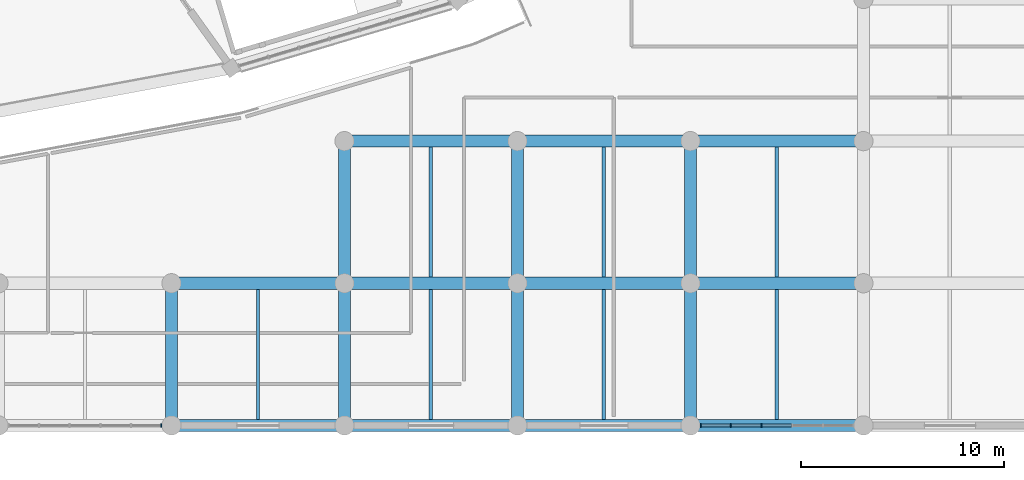
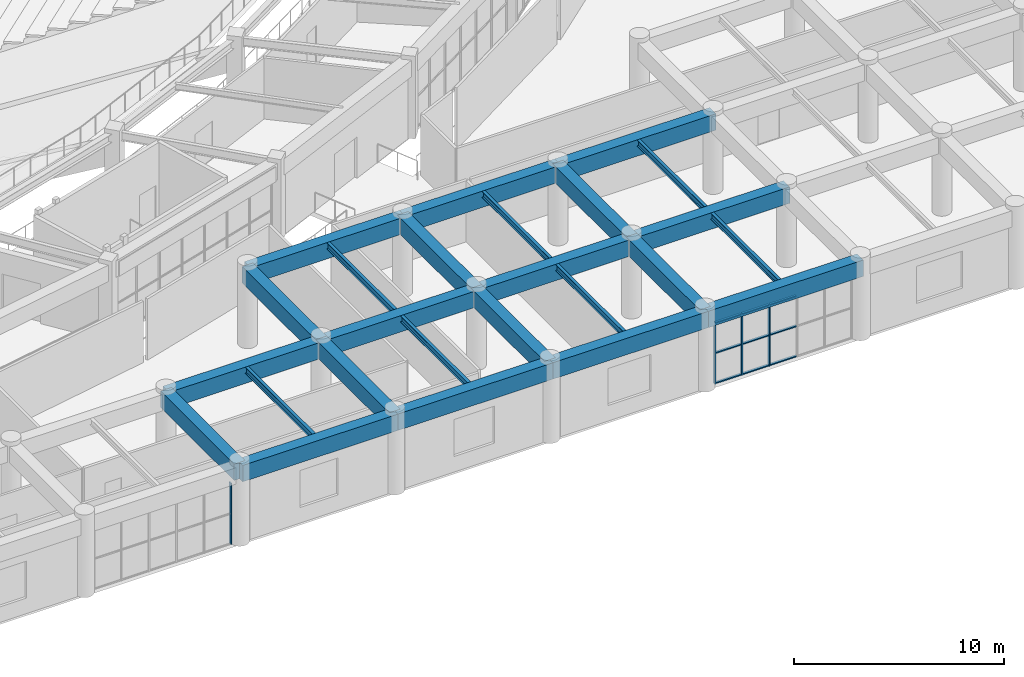
# One storey, part 34 of 137: 25 beams, 13 members, 2 elements without a shape of their own.
"""IFC4 building model written with IfcOpenShell, lengths in metres."""

from ifc_helpers import new_model, si_unit, direction, frame, origin, origin_2d, place, context, subcontext, project, spatial, rectangle, i_section, extrude, material, layer, layer_set, material_profile, profile_set, type_object, element, aggregate, save


model = new_model("IFC4")

# Units and contexts
model_context = context("Model", 3, precision=1e-05, world=origin(), true_north=direction((0.0, 1.0)))
body_context = subcontext(model_context, "Body", "Model", "MODEL_VIEW")
ifc_project = project(units=[si_unit("LENGTHUNIT", "METRE"), si_unit("AREAUNIT", "SQUARE_METRE"), si_unit("VOLUMEUNIT", "CUBIC_METRE"), si_unit("PLANEANGLEUNIT", "RADIAN"), si_unit("MASSUNIT", "GRAM", prefix="KILO")], contexts=[model_context])

# Site, building, storey
site_placement = place(None, origin())
site = spatial("IfcSite", under=ifc_project, at=site_placement, CompositionType="ELEMENT")
building_placement = place(site_placement, origin())
building = spatial("IfcBuilding", under=site, at=building_placement, Name="Mphavela Belvedere Stadium", CompositionType="ELEMENT")
storey_placement = place(building_placement, frame((0.0, 0.0, 19.199951171875)))
storey = spatial("IfcBuildingStorey", under=building, at=storey_placement, Name="L04", CompositionType="ELEMENT", Elevation=19.199951171875)

# Beams
ifc_material_1 = material(Name="Concrete C40/50", Category="concrete")
ifc_material_profile_1 = material_profile(ifc_material_1, rectangle(XDim=0.60009765625, YDim=0.949951171875, at=origin_2d()), Name="RC 600x950")
ifc_profile_set_1 = profile_set([ifc_material_profile_1], Name="Concrete C40/50")
beam_type_1 = type_object("IfcBeamType", Name="BM-ENTABLATURE-950", PredefinedType="SPANDREL", material=ifc_profile_set_1)
beam_1_placement = place(storey_placement, frame((161.85205078125, 0.0, 4.06494140625), z_axis=(1.0, 0.0, 0.0), x_axis=(0.0, 1.0, 0.0)))
element("IfcBeam", 1, at=beam_1_placement, inside=storey, type_object=beam_type_1, Name="South Axial Triumphal Peristyle Portico entablature beam X L04 20-1", PredefinedType="SPANDREL", context=body_context, shape_type="SweptSolid", body=[
    extrude(rectangle(XDim=0.60009765625, YDim=0.949951171875, at=origin_2d()), origin(), (0.0, 0.0, 1.0), 8.51806640625),
])
beam_2_placement = place(storey_placement, frame((161.85205078125, 0.0, 4.06494140625), z_axis=(0.0, 1.0, 0.0), x_axis=(-1.0, 0.0, 0.0)))
element("IfcBeam", 2, at=beam_2_placement, inside=storey, type_object=beam_type_1, Name="South Axial Triumphal Peristyle Portico entablature beam Y L04 20-1", PredefinedType="SPANDREL", context=body_context, shape_type="SweptSolid", body=[
    extrude(rectangle(XDim=0.60009765625, YDim=0.949951171875, at=origin_2d()), origin(), (0.0, 0.0, 1.0), 7.0),
])
beam_3_placement = place(storey_placement, frame((161.85205078125, 7.0, 4.06494140625), z_axis=(1.0, 0.0, 0.0), x_axis=(0.0, 1.0, 0.0)))
element("IfcBeam", 3, at=beam_3_placement, inside=storey, type_object=beam_type_1, Name="South Axial Triumphal Peristyle Portico entablature beam X L04 20-2", PredefinedType="SPANDREL", context=body_context, shape_type="SweptSolid", body=[
    extrude(rectangle(XDim=0.60009765625, YDim=0.949951171875, at=origin_2d()), origin(), (0.0, 0.0, 1.0), 8.51806640625),
])
beam_4_placement = place(storey_placement, frame((170.3701171875, 0.0, 4.06494140625), z_axis=(1.0, 0.0, 0.0), x_axis=(0.0, 1.0, 0.0)))
element("IfcBeam", 4, at=beam_4_placement, inside=storey, type_object=beam_type_1, Name="South Axial Triumphal Peristyle Portico entablature beam X L04 21-1", PredefinedType="SPANDREL", context=body_context, shape_type="SweptSolid", body=[
    extrude(rectangle(XDim=0.60009765625, YDim=0.949951171875, at=origin_2d()), origin(), (0.0, 0.0, 1.0), 8.518798828125),
])
beam_5_placement = place(storey_placement, frame((170.3701171875, 0.0, 4.06494140625), z_axis=(0.0, 1.0, 0.0), x_axis=(-1.0, 0.0, 0.0)))
element("IfcBeam", 5, at=beam_5_placement, inside=storey, type_object=beam_type_1, Name="South Axial Triumphal Peristyle Portico entablature beam Y L04 21-1", PredefinedType="SPANDREL", context=body_context, shape_type="SweptSolid", body=[
    extrude(rectangle(XDim=0.60009765625, YDim=0.949951171875, at=origin_2d()), origin(), (0.0, 0.0, 1.0), 7.0),
])
beam_6_placement = place(storey_placement, frame((170.3701171875, 7.0, 4.06494140625), z_axis=(1.0, 0.0, 0.0), x_axis=(0.0, 1.0, 0.0)))
element("IfcBeam", 6, at=beam_6_placement, inside=storey, type_object=beam_type_1, Name="South Axial Triumphal Peristyle Portico entablature beam X L04 21-2", PredefinedType="SPANDREL", context=body_context, shape_type="SweptSolid", body=[
    extrude(rectangle(XDim=0.60009765625, YDim=0.949951171875, at=origin_2d()), origin(), (0.0, 0.0, 1.0), 8.518798828125),
])
beam_7_placement = place(storey_placement, frame((170.3701171875, 7.0, 4.06494140625), z_axis=(0.0, 1.0, 0.0), x_axis=(-1.0, 0.0, 0.0)))
element("IfcBeam", 7, at=beam_7_placement, inside=storey, type_object=beam_type_1, Name="South Axial Triumphal Peristyle Portico entablature beam Y L04 21-2", PredefinedType="SPANDREL", context=body_context, shape_type="SweptSolid", body=[
    extrude(rectangle(XDim=0.60009765625, YDim=0.949951171875, at=origin_2d()), origin(), (0.0, 0.0, 1.0), 7.0),
])
beam_8_placement = place(storey_placement, frame((170.3701171875, 14.0, 4.06494140625), z_axis=(1.0, 0.0, 0.0), x_axis=(0.0, 1.0, 0.0)))
element("IfcBeam", 8, at=beam_8_placement, inside=storey, type_object=beam_type_1, Name="South Axial Triumphal Peristyle Portico entablature beam X L04 21-3", PredefinedType="SPANDREL", context=body_context, shape_type="SweptSolid", body=[
    extrude(rectangle(XDim=0.60009765625, YDim=0.949951171875, at=origin_2d()), origin(), (0.0, 0.0, 1.0), 8.518798828125),
])
beam_9_placement = place(storey_placement, frame((178.888916015625, 0.0, 4.06494140625), z_axis=(1.0, 0.0, 0.0), x_axis=(0.0, 1.0, 0.0)))
element("IfcBeam", 9, at=beam_9_placement, inside=storey, type_object=beam_type_1, Name="South Axial Triumphal Peristyle Portico entablature beam X L04 22-1", PredefinedType="SPANDREL", context=body_context, shape_type="SweptSolid", body=[
    extrude(rectangle(XDim=0.60009765625, YDim=0.949951171875, at=origin_2d()), origin(), (0.0, 0.0, 1.0), 8.51806640625),
])
beam_10_placement = place(storey_placement, frame((178.888916015625, 0.0, 4.06494140625), z_axis=(0.0, 1.0, 0.0), x_axis=(-1.0, 0.0, 0.0)))
element("IfcBeam", 10, at=beam_10_placement, inside=storey, type_object=beam_type_1, Name="South Axial Triumphal Peristyle Portico entablature beam Y L04 22-1", PredefinedType="SPANDREL", context=body_context, shape_type="SweptSolid", body=[
    extrude(rectangle(XDim=0.60009765625, YDim=0.949951171875, at=origin_2d()), origin(), (0.0, 0.0, 1.0), 7.0),
])
beam_11_placement = place(storey_placement, frame((178.888916015625, 7.0, 4.06494140625), z_axis=(1.0, 0.0, 0.0), x_axis=(0.0, 1.0, 0.0)))
element("IfcBeam", 11, at=beam_11_placement, inside=storey, type_object=beam_type_1, Name="South Axial Triumphal Peristyle Portico entablature beam X L04 22-2", PredefinedType="SPANDREL", context=body_context, shape_type="SweptSolid", body=[
    extrude(rectangle(XDim=0.60009765625, YDim=0.949951171875, at=origin_2d()), origin(), (0.0, 0.0, 1.0), 8.51806640625),
])
beam_12_placement = place(storey_placement, frame((178.888916015625, 7.0, 4.06494140625), z_axis=(0.0, 1.0, 0.0), x_axis=(-1.0, 0.0, 0.0)))
element("IfcBeam", 12, at=beam_12_placement, inside=storey, type_object=beam_type_1, Name="South Axial Triumphal Peristyle Portico entablature beam Y L04 22-2", PredefinedType="SPANDREL", context=body_context, shape_type="SweptSolid", body=[
    extrude(rectangle(XDim=0.60009765625, YDim=0.949951171875, at=origin_2d()), origin(), (0.0, 0.0, 1.0), 7.0),
])
beam_13_placement = place(storey_placement, frame((178.888916015625, 14.0, 4.06494140625), z_axis=(1.0, 0.0, 0.0), x_axis=(0.0, 1.0, 0.0)))
element("IfcBeam", 13, at=beam_13_placement, inside=storey, type_object=beam_type_1, Name="South Axial Triumphal Peristyle Portico entablature beam X L04 22-3", PredefinedType="SPANDREL", context=body_context, shape_type="SweptSolid", body=[
    extrude(rectangle(XDim=0.60009765625, YDim=0.949951171875, at=origin_2d()), origin(), (0.0, 0.0, 1.0), 8.51806640625),
])
beam_14_placement = place(storey_placement, frame((187.406982421875, 0.0, 4.06494140625), z_axis=(1.0, 0.0, 0.0), x_axis=(0.0, 1.0, 0.0)))
element("IfcBeam", 14, at=beam_14_placement, inside=storey, type_object=beam_type_1, Name="South Axial Triumphal Peristyle Portico entablature beam X L04 23-1", PredefinedType="SPANDREL", context=body_context, shape_type="SweptSolid", body=[
    extrude(rectangle(XDim=0.60009765625, YDim=0.949951171875, at=origin_2d()), origin(), (0.0, 0.0, 1.0), 8.51904296875),
])
beam_15_placement = place(storey_placement, frame((187.406982421875, 0.0, 4.06494140625), z_axis=(0.0, 1.0, 0.0), x_axis=(-1.0, 0.0, 0.0)))
element("IfcBeam", 15, at=beam_15_placement, inside=storey, type_object=beam_type_1, Name="South Axial Triumphal Peristyle Portico entablature beam Y L04 23-1", PredefinedType="SPANDREL", context=body_context, shape_type="SweptSolid", body=[
    extrude(rectangle(XDim=0.60009765625, YDim=0.949951171875, at=origin_2d()), origin(), (0.0, 0.0, 1.0), 7.0),
])
beam_16_placement = place(storey_placement, frame((187.406982421875, 7.0, 4.06494140625), z_axis=(1.0, 0.0, 0.0), x_axis=(0.0, 1.0, 0.0)))
element("IfcBeam", 16, at=beam_16_placement, inside=storey, type_object=beam_type_1, Name="South Axial Triumphal Peristyle Portico entablature beam X L04 23-2", PredefinedType="SPANDREL", context=body_context, shape_type="SweptSolid", body=[
    extrude(rectangle(XDim=0.60009765625, YDim=0.949951171875, at=origin_2d()), origin(), (0.0, 0.0, 1.0), 8.51904296875),
])
beam_17_placement = place(storey_placement, frame((187.406982421875, 7.0, 4.06494140625), z_axis=(0.0, 1.0, 0.0), x_axis=(-1.0, 0.0, 0.0)))
element("IfcBeam", 17, at=beam_17_placement, inside=storey, type_object=beam_type_1, Name="South Axial Triumphal Peristyle Portico entablature beam Y L04 23-2", PredefinedType="SPANDREL", context=body_context, shape_type="SweptSolid", body=[
    extrude(rectangle(XDim=0.60009765625, YDim=0.949951171875, at=origin_2d()), origin(), (0.0, 0.0, 1.0), 7.0),
])
beam_18_placement = place(storey_placement, frame((187.406982421875, 14.0, 4.06494140625), z_axis=(1.0, 0.0, 0.0), x_axis=(0.0, 1.0, 0.0)))
element("IfcBeam", 18, at=beam_18_placement, inside=storey, type_object=beam_type_1, Name="South Axial Triumphal Peristyle Portico entablature beam X L04 23-3", PredefinedType="SPANDREL", context=body_context, shape_type="SweptSolid", body=[
    extrude(rectangle(XDim=0.60009765625, YDim=0.949951171875, at=origin_2d()), origin(), (0.0, 0.0, 1.0), 8.51904296875),
])
ifc_material_2 = material(Name="Steel S355", Category="steel")
ifc_material_profile_2 = material_profile(ifc_material_2, i_section(OverallWidth=0.169921875, OverallDepth=0.360107421875, WebThickness=0.008056640625, FlangeThickness=0.0126953125, at=origin_2d()), Name="IPE 360")
ifc_profile_set_2 = profile_set([ifc_material_profile_2], Name="Steel S355")
beam_type_2 = type_object("IfcBeamType", Name="BM-JOIST-IPE360", PredefinedType="JOIST", material=ifc_profile_set_2)
for number, where, z_axis, x_axis, name in (
    (19, (166.111083984375, 0.300048828125, 4.360107421875), (0.0, 1.0, 0.0), (-1.0, 0.0, 0.0), "South Axial Triumphal Peristyle Portico secondary joist L04 20-1"),
    (20, (174.62939453125, 0.300048828125, 4.360107421875), (0.0, 1.0, 0.0), (-1.0, 0.0, 0.0), "South Axial Triumphal Peristyle Portico secondary joist L04 21-1"),
    (21, (174.62939453125, 7.300048828125, 4.360107421875), (0.0, 1.0, 0.0), (-1.0, 0.0, 0.0), "South Axial Triumphal Peristyle Portico secondary joist L04 21-2"),
    (22, (183.14794921875, 0.300048828125, 4.360107421875), (0.0, 1.0, 0.0), (-1.0, 0.0, 0.0), "South Axial Triumphal Peristyle Portico secondary joist L04 22-1"),
    (23, (183.14794921875, 7.300048828125, 4.360107421875), (0.0, 1.0, 0.0), (-1.0, 0.0, 0.0), "South Axial Triumphal Peristyle Portico secondary joist L04 22-2"),
    (24, (191.66650390625, 0.300048828125, 4.360107421875), (0.0, 1.0, 0.0), (-1.0, 0.0, 0.0), "South Axial Triumphal Peristyle Portico secondary joist L04 23-1"),
    (25, (191.66650390625, 7.300048828125, 4.360107421875), (0.0, 1.0, 0.0), (-1.0, 0.0, 0.0), "South Axial Triumphal Peristyle Portico secondary joist L04 23-2"),
):
    element("IfcBeam", number, at=place(storey_placement, frame(where, z_axis=z_axis, x_axis=x_axis)), inside=storey, type_object=beam_type_2, Name=name, PredefinedType="JOIST", context=body_context, shape_type="SweptSolid", body=[
        extrude(i_section(OverallWidth=0.169921875, OverallDepth=0.360107421875, WebThickness=0.008056640625, FlangeThickness=0.0126953125, at=origin_2d()), origin(), (0.0, 0.0, 1.0), 6.39990234375),
    ])

# Curtain wall, member
ifc_material_3 = material(Name="Anodised bronze unitised curtain wall framing")
ifc_layer_1 = layer(ifc_material_3, 0.199951171875)
ifc_layer_set_1 = layer_set([ifc_layer_1], Name="Anodised bronze unitised curtain wall framing")
curtain_wall_type_1 = type_object("IfcCurtainWallType", Name="CW-UNIT-05", PredefinedType="USERDEFINED", material=ifc_layer_set_1)
curtain_wall_1_placement = place(storey_placement, origin())
curtain_wall_1 = element("IfcCurtainWall", 26, at=curtain_wall_1_placement, inside=storey, type_object=curtain_wall_type_1, Name="South Axial Triumphal Peristyle Portico gallery curtain wall L04-19", ObjectType="UNITISED CURTAIN WALL", PredefinedType="USERDEFINED")
ifc_material_4 = material(Name="Anodised bronze extruded aluminium", Category="aluminium")
ifc_material_profile_3 = material_profile(ifc_material_4, rectangle(XDim=0.179931640625, YDim=0.06494140625, at=origin_2d()), Name="CW-MUL 180x65")
ifc_profile_set_3 = profile_set([ifc_material_profile_3], Name="Anodised bronze extruded aluminium")
member_type_1 = type_object("IfcMemberType", Name="CWM-180x65", PredefinedType="MULLION", material=ifc_profile_set_3)
member_1_placement = place(storey_placement, frame((161.346435546875, 0.0, 0.0), z_axis=(0.0, 0.0, 1.0), x_axis=(0.0, -1.0, 0.0)))
member_1 = element("IfcMember", 27, at=member_1_placement, type_object=member_type_1, Name="CW-05 mullion 1", PredefinedType="MULLION", context=body_context, shape_type="SweptSolid", body=[
    extrude(rectangle(XDim=0.179931640625, YDim=0.06494140625, at=origin_2d()), origin(), (0.0, 0.0, 1.0), 3.56005859375),
])
aggregate(curtain_wall_1, [member_1])

# Curtain wall, members
ifc_material_5 = material(Name="Anodised bronze unitised curtain wall framing")
ifc_layer_2 = layer(ifc_material_5, 0.205078125)
ifc_layer_set_2 = layer_set([ifc_layer_2], Name="Anodised bronze unitised curtain wall framing")
curtain_wall_type_2 = type_object("IfcCurtainWallType", Name="CW-UNIT-06", PredefinedType="USERDEFINED", material=ifc_layer_set_2)
curtain_wall_2_placement = place(storey_placement, origin())
curtain_wall_2 = element("IfcCurtainWall", 28, at=curtain_wall_2_placement, inside=storey, type_object=curtain_wall_type_2, Name="South Axial Triumphal Peristyle Portico gallery curtain wall L04-23", ObjectType="UNITISED CURTAIN WALL", PredefinedType="USERDEFINED")
member_2_placement = place(storey_placement, frame((190.9091796875, 0.0, 0.0), z_axis=(0.0, 0.0, 1.0), x_axis=(0.0, -1.0, 0.0)))
member_2 = element("IfcMember", 29, at=member_2_placement, type_object=member_type_1, Name="CW-06 mullion 4", PredefinedType="MULLION", context=body_context, shape_type="SweptSolid", body=[
    extrude(rectangle(XDim=0.179931640625, YDim=0.06494140625, at=origin_2d()), origin(), (0.0, 0.0, 1.0), 3.56005859375),
])
member_3_placement = place(storey_placement, frame((189.39453125, 0.0, 0.0), z_axis=(0.0, 0.0, 1.0), x_axis=(0.0, -1.0, 0.0)))
member_3 = element("IfcMember", 30, at=member_3_placement, type_object=member_type_1, Name="CW-06 mullion 5", PredefinedType="MULLION", context=body_context, shape_type="SweptSolid", body=[
    extrude(rectangle(XDim=0.179931640625, YDim=0.06494140625, at=origin_2d()), origin(), (0.0, 0.0, 1.0), 3.56005859375),
])
member_4_placement = place(storey_placement, frame((187.91259765625, 0.0, 0.0), z_axis=(0.0, 0.0, 1.0), x_axis=(0.0, -1.0, 0.0)))
member_4 = element("IfcMember", 31, at=member_4_placement, type_object=member_type_1, Name="CW-06 mullion 6", PredefinedType="MULLION", context=body_context, shape_type="SweptSolid", body=[
    extrude(rectangle(XDim=0.179931640625, YDim=0.06494140625, at=origin_2d()), origin(), (0.0, 0.0, 1.0), 3.56005859375),
])
ifc_material_6 = material(Name="Anodised bronze extruded aluminium", Category="aluminium")
ifc_material_profile_4 = material_profile(ifc_material_6, rectangle(XDim=0.139892578125, YDim=0.06005859375, at=origin_2d()), Name="CW-TRN 140x60")
ifc_profile_set_4 = profile_set([ifc_material_profile_4], Name="Anodised bronze extruded aluminium")
member_type_2 = type_object("IfcMemberType", Name="CWT-140x60", PredefinedType="USERDEFINED", material=ifc_profile_set_4)
member_5_placement = place(storey_placement, frame((192.391357421875, 0.0, 0.030029296875), z_axis=(-1.0, 0.0, 0.0), x_axis=(0.0, -1.0, 0.0)))
member_5 = element("IfcMember", 32, at=member_5_placement, type_object=member_type_2, Name="CW-06 transom 3.1", ObjectType="TRANSOM", PredefinedType="USERDEFINED", context=body_context, shape_type="SweptSolid", body=[
    extrude(rectangle(XDim=0.139892578125, YDim=0.06005859375, at=origin_2d()), origin(), (0.0, 0.0, 1.0), 1.44970703125),
])
member_6_placement = place(storey_placement, frame((192.391357421875, 0.0, 1.780029296875), z_axis=(-1.0, 0.0, 0.0), x_axis=(0.0, -1.0, 0.0)))
member_6 = element("IfcMember", 33, at=member_6_placement, type_object=member_type_2, Name="CW-06 transom 3.2", ObjectType="TRANSOM", PredefinedType="USERDEFINED", context=body_context, shape_type="SweptSolid", body=[
    extrude(rectangle(XDim=0.139892578125, YDim=0.06005859375, at=origin_2d()), origin(), (0.0, 0.0, 1.0), 1.44970703125),
])
member_7_placement = place(storey_placement, frame((192.391357421875, 0.0, 3.530029296875), z_axis=(-1.0, 0.0, 0.0), x_axis=(0.0, -1.0, 0.0)))
member_7 = element("IfcMember", 34, at=member_7_placement, type_object=member_type_2, Name="CW-06 transom 3.3", ObjectType="TRANSOM", PredefinedType="USERDEFINED", context=body_context, shape_type="SweptSolid", body=[
    extrude(rectangle(XDim=0.139892578125, YDim=0.06005859375, at=origin_2d()), origin(), (0.0, 0.0, 1.0), 1.44970703125),
])
member_8_placement = place(storey_placement, frame((190.876708984375, 0.0, 0.030029296875), z_axis=(-1.0, 0.0, 0.0), x_axis=(0.0, -1.0, 0.0)))
member_8 = element("IfcMember", 35, at=member_8_placement, type_object=member_type_2, Name="CW-06 transom 4.1", ObjectType="TRANSOM", PredefinedType="USERDEFINED", context=body_context, shape_type="SweptSolid", body=[
    extrude(rectangle(XDim=0.139892578125, YDim=0.06005859375, at=origin_2d()), origin(), (0.0, 0.0, 1.0), 1.44970703125),
])
member_9_placement = place(storey_placement, frame((190.876708984375, 0.0, 1.780029296875), z_axis=(-1.0, 0.0, 0.0), x_axis=(0.0, -1.0, 0.0)))
member_9 = element("IfcMember", 36, at=member_9_placement, type_object=member_type_2, Name="CW-06 transom 4.2", ObjectType="TRANSOM", PredefinedType="USERDEFINED", context=body_context, shape_type="SweptSolid", body=[
    extrude(rectangle(XDim=0.139892578125, YDim=0.06005859375, at=origin_2d()), origin(), (0.0, 0.0, 1.0), 1.44970703125),
])
member_10_placement = place(storey_placement, frame((190.876708984375, 0.0, 3.530029296875), z_axis=(-1.0, 0.0, 0.0), x_axis=(0.0, -1.0, 0.0)))
member_10 = element("IfcMember", 37, at=member_10_placement, type_object=member_type_2, Name="CW-06 transom 4.3", ObjectType="TRANSOM", PredefinedType="USERDEFINED", context=body_context, shape_type="SweptSolid", body=[
    extrude(rectangle(XDim=0.139892578125, YDim=0.06005859375, at=origin_2d()), origin(), (0.0, 0.0, 1.0), 1.44970703125),
])
member_11_placement = place(storey_placement, frame((189.362060546875, 0.0, 0.030029296875), z_axis=(-1.0, 0.0, 0.0), x_axis=(0.0, -1.0, 0.0)))
member_11 = element("IfcMember", 38, at=member_11_placement, type_object=member_type_2, Name="CW-06 transom 5.1", ObjectType="TRANSOM", PredefinedType="USERDEFINED", context=body_context, shape_type="SweptSolid", body=[
    extrude(rectangle(XDim=0.139892578125, YDim=0.06005859375, at=origin_2d()), origin(), (0.0, 0.0, 1.0), 1.4169921875),
])
member_12_placement = place(storey_placement, frame((189.362060546875, 0.0, 1.780029296875), z_axis=(-1.0, 0.0, 0.0), x_axis=(0.0, -1.0, 0.0)))
member_12 = element("IfcMember", 39, at=member_12_placement, type_object=member_type_2, Name="CW-06 transom 5.2", ObjectType="TRANSOM", PredefinedType="USERDEFINED", context=body_context, shape_type="SweptSolid", body=[
    extrude(rectangle(XDim=0.139892578125, YDim=0.06005859375, at=origin_2d()), origin(), (0.0, 0.0, 1.0), 1.4169921875),
])
member_13_placement = place(storey_placement, frame((189.362060546875, 0.0, 3.530029296875), z_axis=(-1.0, 0.0, 0.0), x_axis=(0.0, -1.0, 0.0)))
member_13 = element("IfcMember", 40, at=member_13_placement, type_object=member_type_2, Name="CW-06 transom 5.3", ObjectType="TRANSOM", PredefinedType="USERDEFINED", context=body_context, shape_type="SweptSolid", body=[
    extrude(rectangle(XDim=0.139892578125, YDim=0.06005859375, at=origin_2d()), origin(), (0.0, 0.0, 1.0), 1.4169921875),
])
aggregate(curtain_wall_2, [member_2, member_3, member_4, member_5, member_6, member_7, member_8, member_9, member_10, member_11, member_12, member_13])

save(model, "model.ifc")
